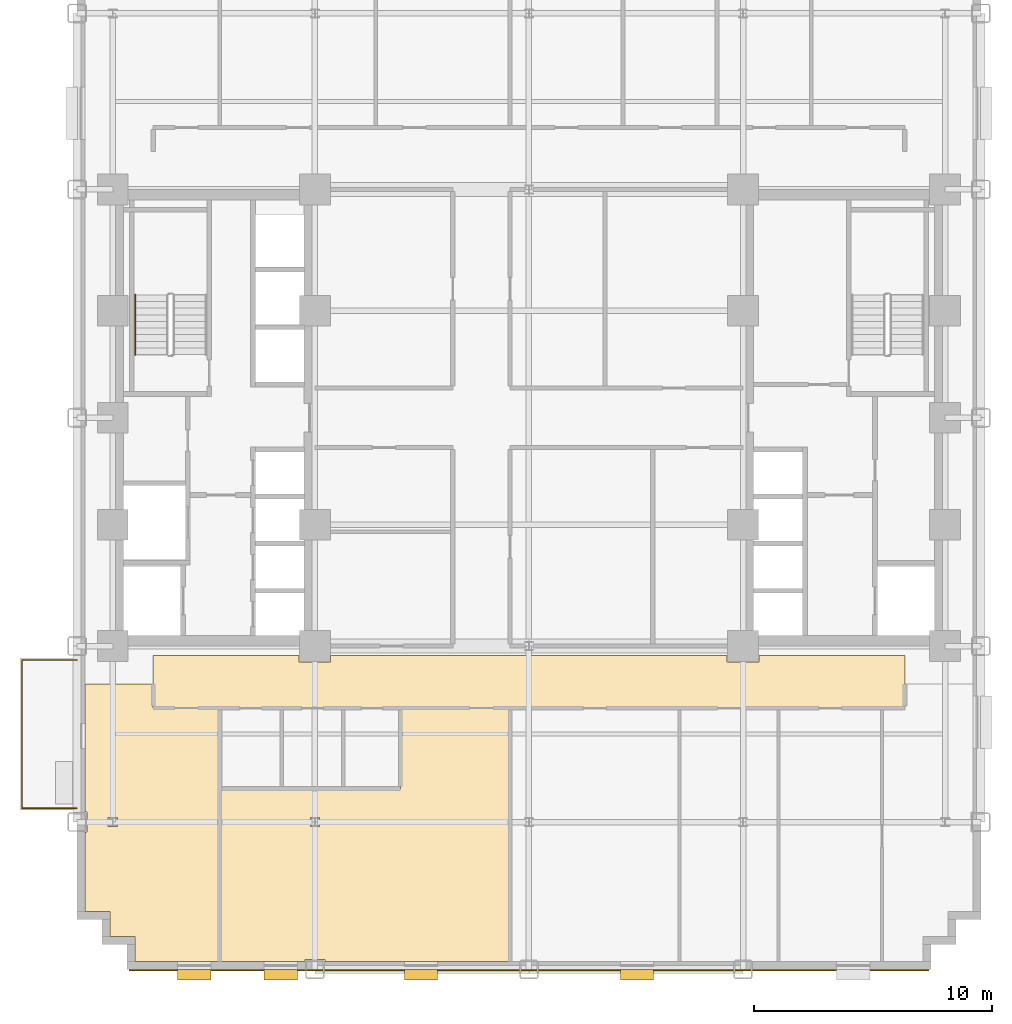
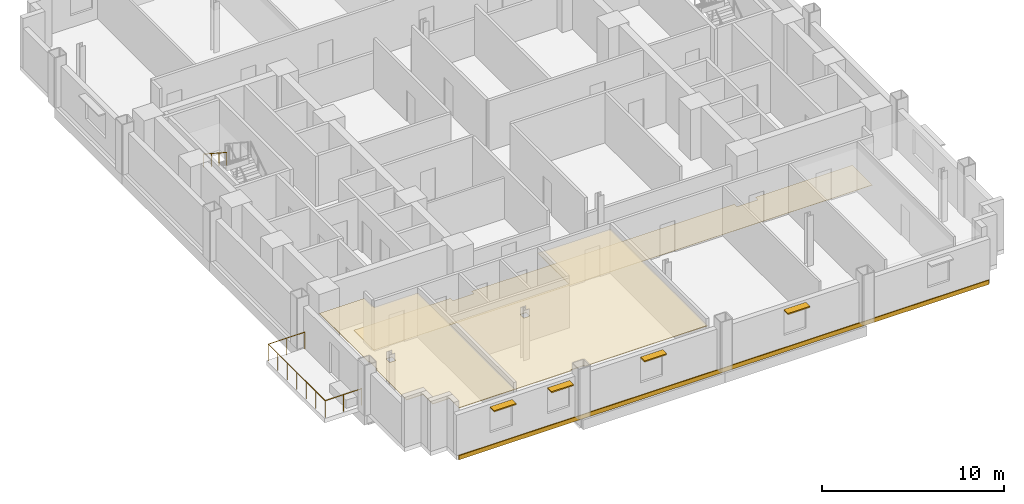
# One storey, part 9 of 12: 4 coverings, 4 shading devices, 2 railings.
"""IFC4 building model written with IfcOpenShell, lengths in metres."""

from ifc_helpers import new_model, si_unit, direction, frame, origin, origin_2d, place, context, subcontext, project, spatial, polyline, rectangle, circle, outline, extrude, source, transform, mapped, material, layer, layer_set, type_object, type_shapes, element, save


model = new_model("IFC4")

# Units and contexts
model_context = context("Model", 3, precision=1e-05, world=origin(), true_north=direction((0.0, 1.0)))
body_context = subcontext(model_context, "Body", "Model", "MODEL_VIEW")
ifc_project = project(units=[si_unit("LENGTHUNIT", "METRE"), si_unit("AREAUNIT", "SQUARE_METRE"), si_unit("VOLUMEUNIT", "CUBIC_METRE"), si_unit("PLANEANGLEUNIT", "RADIAN"), si_unit("MASSUNIT", "GRAM", prefix="KILO")], contexts=[model_context])

# Site, building, storey
site_placement = place(None, origin())
site = spatial("IfcSite", under=ifc_project, at=site_placement, CompositionType="ELEMENT")
building_placement = place(site_placement, origin())
building = spatial("IfcBuilding", under=site, at=building_placement, Name="Nuvemarco Arch Tower", CompositionType="ELEMENT")
storey_placement = place(building_placement, frame((0.0, 0.0, 49.5)))
storey = spatial("IfcBuildingStorey", under=building, at=storey_placement, Name="L12", CompositionType="ELEMENT", Elevation=49.5)

# Coverings
ifc_material_1 = material(Name="Mineral acoustic ceiling tile")
ifc_layer_1 = layer(ifc_material_1, 0.0400390625, Name="COV-ACOUSTIC-CLG")
ifc_layer_set_1 = layer_set([ifc_layer_1], Name="Mineral acoustic ceiling tile")
covering_type_1 = type_object("IfcCoveringType", Name="COV-ACOUSTIC-CLG", PredefinedType="CEILING", material=ifc_layer_set_1)
covering_1_placement = place(storey_placement, frame((0.0, 0.0, 2.85009765625)))
element("IfcCovering", 1, at=covering_1_placement, inside=storey, type_object=covering_type_1, Name="L12 suspended acoustic ceiling 1", PredefinedType="CEILING", context=body_context, shape_type="SweptSolid", body=[
    extrude(outline(polyline([(-5.39990234375, -15.60009765625), (-5.39990234375, -12.199951171875), (-3.199951171875, -12.199951171875), (-0.800048828125, -12.199951171875), (-0.800048828125, -22.860107421875), (-8.5849609375, -22.860107421875), (-8.5849609375, -22.784912109375), (-9.4150390625, -22.784912109375), (-9.4150390625, -22.860107421875), (-13.0, -22.860107421875), (-13.0, -15.60009765625), (-10.39990234375, -15.60009765625), (-7.800048828125, -15.60009765625), (-5.39990234375, -15.60009765625)]), holes=[polyline([(-8.804931640625, -17.195068359375), (-8.804931640625, -16.804931640625), (-9.195068359375, -16.804931640625), (-9.195068359375, -17.195068359375), (-8.804931640625, -17.195068359375)])]), origin(), (0.0, 0.0, 1.0), 0.039794921875),
])
covering_2_placement = place(storey_placement, frame((0.0, 0.0, 2.85009765625)))
element("IfcCovering", 2, at=covering_2_placement, inside=storey, type_object=covering_type_1, Name="L12 suspended acoustic ceiling 4", PredefinedType="CEILING", context=body_context, shape_type="SweptSolid", body=[
    extrude(outline(polyline([(-18.659912109375, -20.760009765625), (-18.659912109375, -17.4150390625), (-18.5849609375, -17.4150390625), (-18.5849609375, -16.5849609375), (-18.659912109375, -16.5849609375), (-18.659912109375, -11.199951171875), (-15.800048828125, -11.199951171875), (-15.800048828125, -12.199951171875), (-13.0, -12.199951171875), (-13.0, -15.60009765625), (-13.0, -22.860107421875), (-16.56005859375, -22.860107421875), (-16.56005859375, -21.81005859375), (-17.610107421875, -21.81005859375), (-17.610107421875, -20.760009765625), (-18.659912109375, -20.760009765625)]), holes=[polyline([(-17.304931640625, -16.804931640625), (-17.695068359375, -16.804931640625), (-17.695068359375, -17.195068359375), (-17.304931640625, -17.195068359375), (-17.304931640625, -16.804931640625)])]), origin(), (0.0, 0.0, 1.0), 0.039794921875),
])
ifc_material_2 = material(Name="Polished granite terrazzostone flooring", Category="masonry")
ifc_layer_2 = layer(ifc_material_2, 0.02001953125, Name="COV-LOBBY-FLR")
ifc_layer_set_2 = layer_set([ifc_layer_2], Name="Polished granite terrazzostone flooring")
covering_type_2 = type_object("IfcCoveringType", Name="COV-LOBBY-FLR", PredefinedType="FLOORING", material=ifc_layer_set_2)
covering_3_placement = place(storey_placement, origin())
element("IfcCovering", 3, at=covering_3_placement, inside=storey, type_object=covering_type_2, Name="L12 polished terrazzo lobby flooring", PredefinedType="FLOORING", context=body_context, shape_type="SweptSolid", body=[
    extrude(outline(polyline([(-9.6650390625, -10.264892578125), (-8.3349609375, -10.264892578125), (-8.3349609375, -10.0), (8.3349609375, -10.0), (8.3349609375, -10.264892578125), (9.6650390625, -10.264892578125), (9.6650390625, -10.0), (15.800048828125, -10.0), (15.800048828125, -12.199951171875), (-0.800048828125, -12.199951171875), (-3.199951171875, -12.199951171875), (-15.800048828125, -12.199951171875), (-15.800048828125, -10.0), (-9.6650390625, -10.0), (-9.6650390625, -10.264892578125)])), origin(), (0.0, 0.0, 1.0), 0.02001953125),
])

# Railings
ifc_material_3 = material(Name="Brushed stainless steel handrail", Category="steel")
railing_type_1 = type_object("IfcRailingType", Name="RL-HANDRAIL-900", PredefinedType="HANDRAIL", material=ifc_material_3)
railing_1_placement = place(storey_placement, frame((-16.550048828125, 5.169921875, 2.007568359375)))
element("IfcRailing", 4, at=railing_1_placement, inside=storey, type_object=railing_type_1, Name="L12 ST-1 stair handrail 2", PredefinedType="HANDRAIL", context=body_context, shape_type="SweptSolid", body=[
    extrude(circle(Radius=0.02392578125, at=origin_2d()), frame((0.0, 0.0, 0.8759765625), z_axis=(0.0, -0.837786554691, 0.545997883492), x_axis=(1.0, 0.0, 0.0)), (0.0, 0.0, 1.0), 3.008056640625),
    extrude(circle(Radius=0.02099609375, at=origin_2d()), origin(), (0.0, 0.0, 1.0), 0.851806640625),
    extrude(circle(Radius=0.02099609375, at=origin_2d()), frame((0.0, -0.840087890625, 0.54736328125)), (0.0, 0.0, 1.0), 0.851806640625),
    extrude(circle(Radius=0.02099609375, at=origin_2d()), frame((0.0, -1.679931640625, 1.094970703125)), (0.0, 0.0, 1.0), 0.851806640625),
    extrude(circle(Radius=0.02099609375, at=origin_2d()), frame((0.0, -2.52001953125, 1.642333984375)), (0.0, 0.0, 1.0), 0.851806640625),
])
ifc_material_4 = material(Name="Dark anodised balustrade steel S355", Category="steel")
railing_type_2 = type_object("IfcRailingType", Name="RL-TERR-GUARD", PredefinedType="BALUSTRADE", material=ifc_material_4)
railing_2_placement = place(storey_placement, frame((-19.0, -16.419921875, 0.0)))
element("IfcRailing", 5, at=railing_2_placement, inside=storey, type_object=railing_type_2, Name="L12 spiral terrace perimeter balustrade guard", PredefinedType="BALUSTRADE", context=body_context, shape_type="SweptSolid", body=[
    extrude(circle(Radius=0.02392578125, at=origin_2d()), frame((0.0, 0.0, 1.1259765625), z_axis=(-1.0, 0.0, 0.0), x_axis=(0.0, -1.0, 0.0)), (0.0, 0.0, 1.0), 2.320068359375),
    extrude(circle(Radius=0.02392578125, at=origin_2d()), frame((-2.320068359375, 0.0, 1.1259765625), z_axis=(0.0, 1.0, 0.0), x_axis=(-1.0, 0.0, 0.0)), (0.0, 0.0, 1.0), 6.239990234375),
    extrude(circle(Radius=0.02392578125, at=origin_2d()), frame((-2.320068359375, 6.239990234375, 1.1259765625), z_axis=(1.0, 0.0, 0.0), x_axis=(0.0, 1.0, 0.0)), (0.0, 0.0, 1.0), 2.320068359375),
    extrude(circle(Radius=0.02099609375, at=origin_2d()), origin(), (0.0, 0.0, 1.0), 1.101806640625),
    extrude(circle(Radius=0.02099609375, at=origin_2d()), frame((-1.16015625, 0.0, 0.0)), (0.0, 0.0, 1.0), 1.101806640625),
    extrude(circle(Radius=0.02099609375, at=origin_2d()), frame((-2.320068359375, 0.0, 0.0)), (0.0, 0.0, 1.0), 1.101806640625),
    extrude(circle(Radius=0.02099609375, at=origin_2d()), frame((-2.320068359375, 1.0400390625, 0.0)), (0.0, 0.0, 1.0), 1.101806640625),
    extrude(circle(Radius=0.02099609375, at=origin_2d()), frame((-2.320068359375, 2.080078125, 0.0)), (0.0, 0.0, 1.0), 1.101806640625),
    extrude(circle(Radius=0.02099609375, at=origin_2d()), frame((-2.320068359375, 3.1201171875, 0.0)), (0.0, 0.0, 1.0), 1.101806640625),
    extrude(circle(Radius=0.02099609375, at=origin_2d()), frame((-2.320068359375, 4.159912109375, 0.0)), (0.0, 0.0, 1.0), 1.101806640625),
    extrude(circle(Radius=0.02099609375, at=origin_2d()), frame((-2.320068359375, 5.199951171875, 0.0)), (0.0, 0.0, 1.0), 1.101806640625),
    extrude(circle(Radius=0.02099609375, at=origin_2d()), frame((-2.320068359375, 6.239990234375, 0.0)), (0.0, 0.0, 1.0), 1.101806640625),
    extrude(circle(Radius=0.02099609375, at=origin_2d()), frame((-1.16015625, 6.239990234375, 0.0)), (0.0, 0.0, 1.0), 1.101806640625),
    extrude(circle(Radius=0.02099609375, at=origin_2d()), frame((0.0, 6.239990234375, 0.0)), (0.0, 0.0, 1.0), 1.101806640625),
])

# Shading devices
ifc_material_5 = material(Name="Anodised aluminium 6063-T6", Category="aluminium")
shading_device_type = type_object("IfcShadingDeviceType", Name="SHD-BRISE-NARROW", PredefinedType="USERDEFINED", material=ifc_material_5)
shared_shape_1 = source(origin(), body_context, "Body", "SweptSolid", [
    extrude(rectangle(XDim=1.39990234375, YDim=0.449951171875, at=origin_2d()), origin(), (0.0, 0.0, 1.0), 0.080078125),
])
type_shapes(shading_device_type, [shared_shape_1])
for number, where, z_axis, x_axis, name in (
    (6, (-14.07861328125, -23.4150390625, 2.455078125), (0.0, 0.0, 1.0), (1.0, 0.0, 0.0), "L12 horizontal brise-soleil sunshade"),
    (7, (-10.435791015625, -23.4150390625, 2.455078125), (0.0, 0.0, 1.0), (1.0, 0.0, 0.0), "L12 horizontal brise-soleil sunshade"),
    (8, (-4.54296875, -23.4150390625, 2.455078125), (0.0, 0.0, 1.0), (1.0, 0.0, 0.0), "L12 horizontal brise-soleil sunshade"),
    (9, (4.54296875, -23.4150390625, 2.455078125), (0.0, 0.0, 1.0), (1.0, 0.0, 0.0), "L12 horizontal brise-soleil sunshade"),
):
    element("IfcShadingDevice", number, at=place(storey_placement, frame(where, z_axis=z_axis, x_axis=x_axis)), inside=storey, type_object=shading_device_type, Name=name, ObjectType="SUNSHADE", PredefinedType="USERDEFINED", context=body_context, shape_type="MappedRepresentation", body=[
        mapped(shared_shape_1, transform((0.0, 0.0, 0.0), scale=1.0)),
    ])

# Covering
ifc_material_6 = material(Name="Precast concrete C45/55", Category="concrete")
ifc_layer_3 = layer(ifc_material_6, 0.06005859375, Name="COV-SPANDREL-CLAD")
ifc_layer_set_3 = layer_set([ifc_layer_3], Name="Precast concrete C45/55")
covering_type_3 = type_object("IfcCoveringType", Name="COV-SPANDREL-CLAD", PredefinedType="CLADDING", material=ifc_layer_set_3)
shared_shape_2 = source(origin(), body_context, "Body", "SweptSolid", [
    extrude(rectangle(XDim=33.60009765625, YDim=0.06005859375, at=origin_2d()), origin(), (0.0, 0.0, 1.0), 0.280029296875),
])
type_shapes(covering_type_3, [shared_shape_2])
covering_4_placement = place(storey_placement, frame((0.0, -23.22900390625, -0.27978515625), z_axis=(0.0, 0.0, 1.0), x_axis=(1.0, 0.0, 0.0)))
element("IfcCovering", 10, at=covering_4_placement, inside=storey, type_object=covering_type_3, Name="L12 precast spandrel edge cladding south", PredefinedType="CLADDING", context=body_context, shape_type="MappedRepresentation", body=[
    mapped(shared_shape_2, transform((0.0, 0.0, 0.0), scale=1.0)),
])

save(model, "model.ifc")
